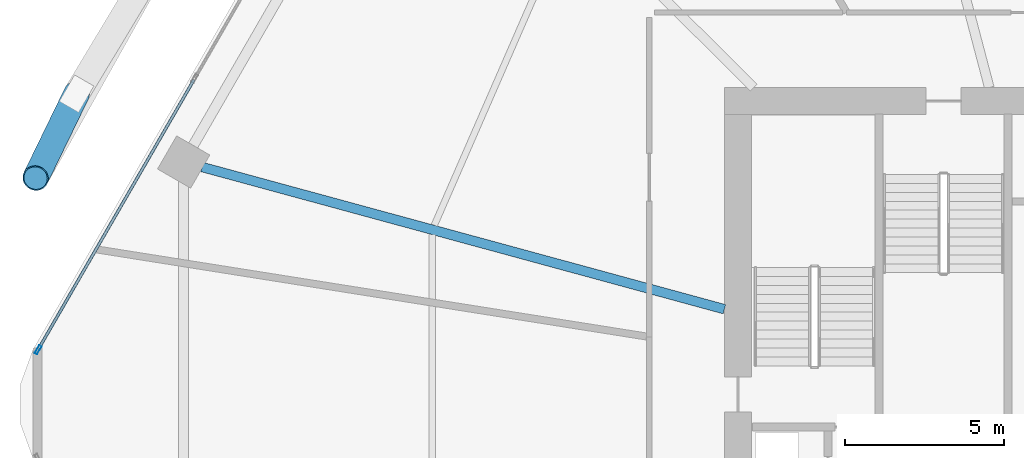
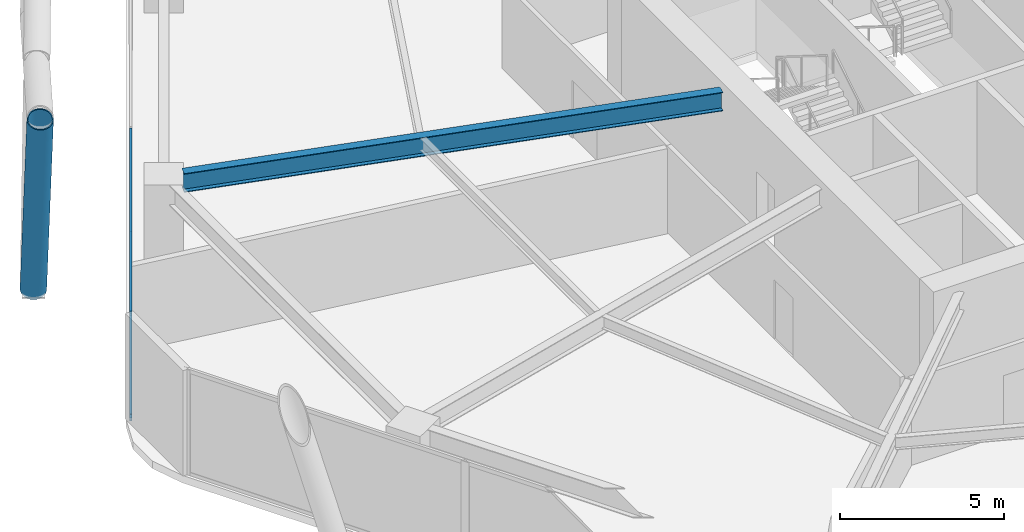
# One storey, part 13 of 28: 4 members, 1 beam, 1 element without a shape of its own.
"""IFC4 building model written with IfcOpenShell, lengths in metres."""

from ifc_helpers import new_model, si_unit, direction, frame, origin, origin_2d, place, context, subcontext, project, spatial, hollow_rectangle, hollow_circle, i_section, extrude, material, material_profile, profile_set, type_object, element, aggregate, save


model = new_model("IFC4")

# Units and contexts
model_context = context("Model", 3, precision=1e-05, world=origin(), true_north=direction((0.0, 1.0)))
body_context = subcontext(model_context, "Body", "Model", "MODEL_VIEW")
ifc_project = project(units=[si_unit("LENGTHUNIT", "METRE"), si_unit("AREAUNIT", "SQUARE_METRE"), si_unit("VOLUMEUNIT", "CUBIC_METRE"), si_unit("PLANEANGLEUNIT", "RADIAN"), si_unit("MASSUNIT", "GRAM", prefix="KILO")], contexts=[model_context])

# Site, building, storey
site_placement = place(None, origin())
site = spatial("IfcSite", under=ifc_project, at=site_placement, CompositionType="ELEMENT")
building_placement = place(site_placement, origin())
building = spatial("IfcBuilding", under=site, at=building_placement, Name="Zuhravey Tower", CompositionType="ELEMENT")
storey_placement = place(building_placement, frame((0.0, 0.0, 66.60009765625)))
storey = spatial("IfcBuildingStorey", under=building, at=storey_placement, Name="L16", CompositionType="ELEMENT", Elevation=66.60009765625)

# Curtain wall, members
ifc_material_1 = material(Name="Thermally broken anodised aluminium", Category="aluminium")
curtain_wall_type = type_object("IfcCurtainWallType", Name="School Low-E Unitised Curtain Wall CW1", PredefinedType="NOTDEFINED", material=ifc_material_1)
curtain_wall_placement = place(storey_placement, origin())
curtain_wall = element("IfcCurtainWall", 1, at=curtain_wall_placement, inside=storey, type_object=curtain_wall_type, Name="L16 CW1 CW-L16-F3-1", PredefinedType="NOTDEFINED")
ifc_material_2 = material(Name="Anodised aluminium", Category="aluminium")
ifc_material_profile_1 = material_profile(ifc_material_2, hollow_rectangle(XDim=0.090087890625, YDim=0.284912109375, WallThickness=0.0048828125, at=origin_2d()), Name="ALU-RHS-90x285x5")
ifc_profile_set_1 = profile_set([ifc_material_profile_1], Name="Anodised aluminium")
member_type_1 = type_object("IfcMemberType", Name="Curtain-Wall Mullion 90x180", PredefinedType="MULLION", material=ifc_profile_set_1)
member_1_placement = place(storey_placement, frame((3.5439453125, 33.701416015625, 0.0), z_axis=(0.0, 0.0, 1.0), x_axis=(-0.86602552265, 0.499999794119, 0.0)))
member_1 = element("IfcMember", 2, at=member_1_placement, type_object=member_type_1, Name="CW1 mullion 1", PredefinedType="MULLION", context=body_context, shape_type="SweptSolid", body=[
    extrude(hollow_rectangle(XDim=0.090087890625, YDim=0.284912109375, WallThickness=0.0048828125, at=origin_2d()), origin(), (0.0, 0.0, 1.0), 3.919921875),
])
ifc_material_profile_2 = material_profile(ifc_material_2, hollow_rectangle(XDim=0.090087890625, YDim=0.14990234375, WallThickness=0.0048828125, at=origin_2d()), Name="ALU-RHS-90x150x5")
ifc_profile_set_2 = profile_set([ifc_material_profile_2], Name="Anodised aluminium")
member_type_2 = type_object("IfcMemberType", Name="Curtain-Wall Transom 90x150", PredefinedType="USERDEFINED", material=ifc_profile_set_2)
member_2_placement = place(storey_placement, frame((3.56640625, 33.740478515625, 0.044921875), z_axis=(0.500008393077, 0.866020557985, 0.0), x_axis=(-0.866020557985, 0.500008393077, 0.0)))
member_2 = element("IfcMember", 3, at=member_2_placement, type_object=member_type_2, Name="CW1 transom 1.1", ObjectType="TRANSOM", PredefinedType="USERDEFINED", context=body_context, shape_type="SweptSolid", body=[
    extrude(hollow_rectangle(XDim=0.090087890625, YDim=0.14990234375, WallThickness=0.0048828125, at=origin_2d()), origin(), (0.0, 0.0, 1.0), 9.731201171875),
])
member_3_placement = place(storey_placement, frame((3.56640625, 33.740478515625, 3.875), z_axis=(0.500008393077, 0.866020557985, 0.0), x_axis=(-0.866020557985, 0.500008393077, 0.0)))
member_3 = element("IfcMember", 4, at=member_3_placement, type_object=member_type_2, Name="CW1 transom 1.2", ObjectType="TRANSOM", PredefinedType="USERDEFINED", context=body_context, shape_type="SweptSolid", body=[
    extrude(hollow_rectangle(XDim=0.090087890625, YDim=0.14990234375, WallThickness=0.0048828125, at=origin_2d()), origin(), (0.0, 0.0, 1.0), 9.731201171875),
])
aggregate(curtain_wall, [member_1, member_2, member_3])

# Member
ifc_material_3 = material(Name="Steel SM460", Category="steel")
ifc_material_profile_3 = material_profile(ifc_material_3, hollow_circle(Radius=0.406494140625, WallThickness=0.035888671875, at=origin_2d()), Name="CHS-812.8x36")
ifc_profile_set_3 = profile_set([ifc_material_profile_3], Name="Steel SM460")
member_type_3 = type_object("IfcMemberType", Name="Exoskeleton Zone 1 Diagrid CHS813x36", PredefinedType="BRACE", material=ifc_profile_set_3)
member_4_placement = place(storey_placement, frame((4.748779296875, 41.727294921875, -0.47216796875), z_axis=(-0.144834248996, -0.298076272248, 0.943490103944), x_axis=(0.899443702204, -0.437036642132, 0.0)))
element("IfcMember", 5, at=member_4_placement, inside=storey, type_object=member_type_3, Name="L16 Face 3 Diagrid Brace 4", PredefinedType="BRACE", context=body_context, shape_type="SweptSolid", body=[
    extrude(hollow_circle(Radius=0.406494140625, WallThickness=0.035888671875, at=origin_2d()), origin(), (0.0, 0.0, 1.0), 8.8564453125),
])

# Beam
ifc_material_4 = material(Name="Steel SM355", Category="steel")
ifc_material_profile_4 = material_profile(ifc_material_4, i_section(OverallWidth=0.300048828125, OverallDepth=0.699951171875, WebThickness=0.012939453125, FlangeThickness=0.02392578125, at=origin_2d()), Name="H-700x300x13x24")
ifc_profile_set_4 = profile_set([ifc_material_profile_4], Name="Steel SM355")
beam_type = type_object("IfcBeamType", Name="Radial Primary Girder H700x300", PredefinedType="BEAM", material=ifc_profile_set_4)
beam_placement = place(storey_placement, frame((25.072021484375, 34.974609375, 3.56982421875), z_axis=(-0.964892480455, 0.26264520015, 0.0), x_axis=(-0.26264520015, -0.964892480455, 0.0)))
element("IfcBeam", 6, at=beam_placement, inside=storey, type_object=beam_type, Name="L16 RG1 BM-L16-RAD-06", PredefinedType="BEAM", context=body_context, shape_type="SweptSolid", body=[
    extrude(i_section(OverallWidth=0.300048828125, OverallDepth=0.699951171875, WebThickness=0.012939453125, FlangeThickness=0.02392578125, at=origin_2d()), origin(), (0.0, 0.0, 1.0), 16.975341796875),
])

save(model, "model.ifc")
